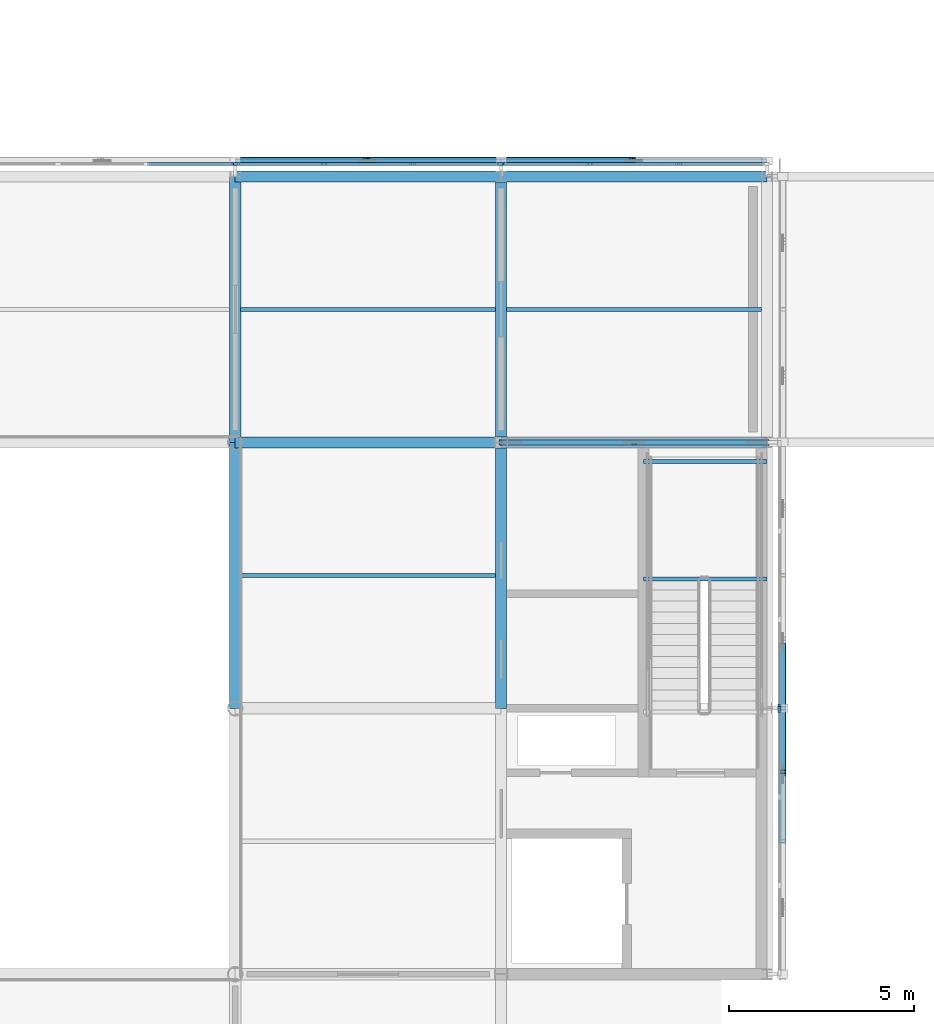
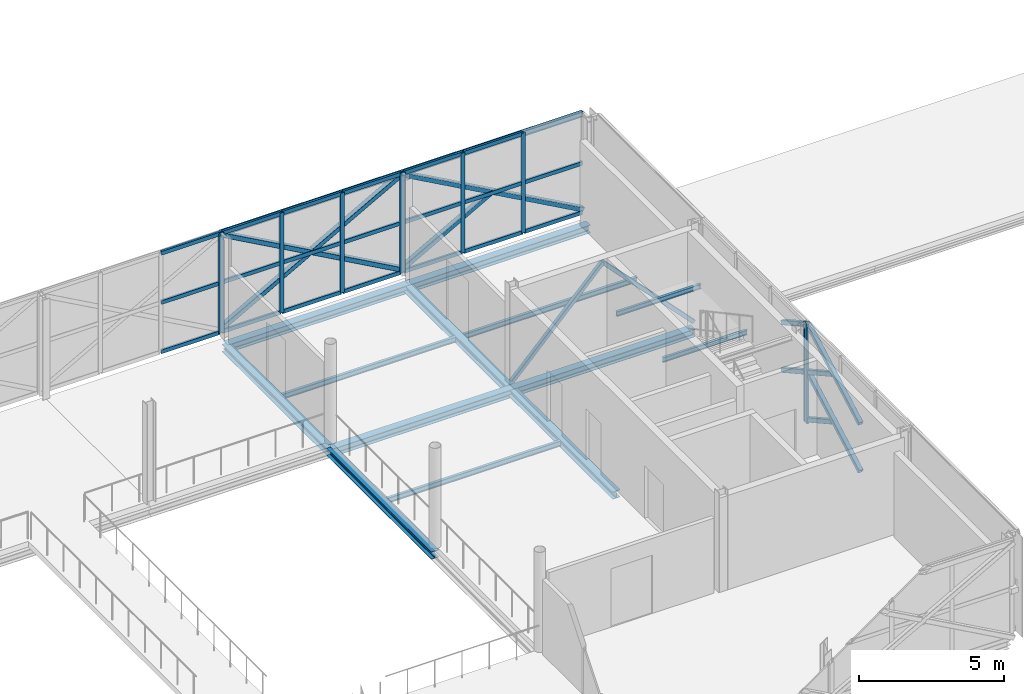
# One storey, part 41 of 103: 45 members, 13 beams, 5 elements without a shape of their own.
"""IFC4 building model written with IfcOpenShell, lengths in metres."""

from ifc_helpers import new_model, si_unit, direction, frame, origin, origin_2d, place, context, subcontext, project, spatial, rectangle, hollow_rectangle, i_section, extrude, material, material_profile, profile_set, type_object, element, aggregate, save


model = new_model("IFC4")

# Units and contexts
model_context = context("Model", 3, precision=1e-05, world=origin(), true_north=direction((0.0, 1.0)))
body_context = subcontext(model_context, "Body", "Model", "MODEL_VIEW")
ifc_project = project(units=[si_unit("LENGTHUNIT", "METRE"), si_unit("AREAUNIT", "SQUARE_METRE"), si_unit("VOLUMEUNIT", "CUBIC_METRE"), si_unit("PLANEANGLEUNIT", "RADIAN"), si_unit("MASSUNIT", "GRAM", prefix="KILO")], contexts=[model_context])

# Site, building, storey
site_placement = place(None, origin())
site = spatial("IfcSite", under=ifc_project, at=site_placement, CompositionType="ELEMENT")
building_placement = place(site_placement, origin())
building = spatial("IfcBuilding", under=site, at=building_placement, Name="Zlatovets Crest Museum", CompositionType="ELEMENT")
storey_placement = place(building_placement, frame((0.0, 0.0, 12.89990234375)))
storey = spatial("IfcBuildingStorey", under=building, at=storey_placement, Name="L03", CompositionType="ELEMENT", Elevation=12.89990234375)

# Beams
ifc_material_1 = material(Name="Structural steel S355J2", Category="steel")
ifc_material_profile_1 = material_profile(ifc_material_1, i_section(OverallWidth=0.300048828125, OverallDepth=0.31005859375, WebThickness=0.009033203125, FlangeThickness=0.015380859375, FilletRadius=0.027099609375, at=origin_2d()), Name="HEA 320")
ifc_profile_set_1 = profile_set([ifc_material_profile_1], Name="Structural steel S355J2")
beam_type_1 = type_object("IfcBeamType", Name="Beam_B-04", PredefinedType="BEAM", material=ifc_profile_set_1)
beam_1_placement = place(storey_placement, frame((93.60009765625, 14.39990234375, -0.39501953125), z_axis=(0.0, 1.0, 0.0), x_axis=(-1.0, 0.0, 0.0)))
element("IfcBeam", 1, at=beam_1_placement, inside=storey, type_object=beam_type_1, Name="V2 L03 Grid Beam B-04", PredefinedType="BEAM", context=body_context, shape_type="SweptSolid", body=[
    extrude(i_section(OverallWidth=0.300048828125, OverallDepth=0.31005859375, WebThickness=0.009033203125, FlangeThickness=0.015380859375, FilletRadius=0.027099609375, at=origin_2d()), origin(), (0.0, 0.0, 1.0), 7.2001953125),
])
beam_2_placement = place(storey_placement, frame((93.60009765625, 21.60009765625, -0.39501953125), z_axis=(0.0, 1.0, 0.0), x_axis=(-1.0, 0.0, 0.0)))
element("IfcBeam", 2, at=beam_2_placement, inside=storey, type_object=beam_type_1, Name="V2 L03 Grid Beam B-04", PredefinedType="BEAM", context=body_context, shape_type="SweptSolid", body=[
    extrude(i_section(OverallWidth=0.300048828125, OverallDepth=0.31005859375, WebThickness=0.009033203125, FlangeThickness=0.015380859375, FilletRadius=0.027099609375, at=origin_2d()), origin(), (0.0, 0.0, 1.0), 7.199951171875),
])
beam_3_placement = place(storey_placement, frame((100.800048828125, 14.39990234375, -0.39501953125), z_axis=(0.0, 1.0, 0.0), x_axis=(-1.0, 0.0, 0.0)))
element("IfcBeam", 3, at=beam_3_placement, inside=storey, type_object=beam_type_1, Name="V2 L03 Grid Beam B-04", PredefinedType="BEAM", context=body_context, shape_type="SweptSolid", body=[
    extrude(i_section(OverallWidth=0.300048828125, OverallDepth=0.31005859375, WebThickness=0.009033203125, FlangeThickness=0.015380859375, FilletRadius=0.027099609375, at=origin_2d()), origin(), (0.0, 0.0, 1.0), 7.2001953125),
])
beam_4_placement = place(storey_placement, frame((100.800048828125, 21.60009765625, -0.39501953125), z_axis=(0.0, 1.0, 0.0), x_axis=(-1.0, 0.0, 0.0)))
element("IfcBeam", 4, at=beam_4_placement, inside=storey, type_object=beam_type_1, Name="V2 L03 Grid Beam B-04", PredefinedType="BEAM", context=body_context, shape_type="SweptSolid", body=[
    extrude(i_section(OverallWidth=0.300048828125, OverallDepth=0.31005859375, WebThickness=0.009033203125, FlangeThickness=0.015380859375, FilletRadius=0.027099609375, at=origin_2d()), origin(), (0.0, 0.0, 1.0), 7.199951171875),
])
ifc_material_profile_2 = material_profile(ifc_material_1, i_section(OverallWidth=0.300048828125, OverallDepth=0.330078125, WebThickness=0.009521484375, FlangeThickness=0.0166015625, FilletRadius=0.027099609375, at=origin_2d()), Name="HEA 340")
ifc_profile_set_2 = profile_set([ifc_material_profile_2], Name="Structural steel S355J2")
beam_type_2 = type_object("IfcBeamType", Name="Beam_B-11", PredefinedType="BEAM", material=ifc_profile_set_2)
for number, where, z_axis, x_axis, name in (
    (5, (93.60009765625, 21.60009765625, -0.40478515625), (1.0, 0.0, 0.0), (0.0, 1.0, 0.0), "V2 L03 Primary Girder B-11"),
    (6, (100.800048828125, 21.60009765625, -0.40478515625), (1.0, 0.0, 0.0), (0.0, 1.0, 0.0), "V2 L03 Primary Girder B-11"),
    (7, (93.60009765625, 28.800048828125, -0.40478515625), (1.0, 0.0, 0.0), (0.0, 1.0, 0.0), "V2 L03 Primary Girder B-11"),
    (8, (100.800048828125, 28.800048828125, -0.40478515625), (1.0, 0.0, 0.0), (0.0, 1.0, 0.0), "V2 L03 Primary Girder B-11"),
):
    element("IfcBeam", number, at=place(storey_placement, frame(where, z_axis=z_axis, x_axis=x_axis)), inside=storey, type_object=beam_type_2, Name=name, PredefinedType="BEAM", context=body_context, shape_type="SweptSolid", body=[
        extrude(i_section(OverallWidth=0.300048828125, OverallDepth=0.330078125, WebThickness=0.009521484375, FlangeThickness=0.0166015625, FilletRadius=0.027099609375, at=origin_2d()), origin(), (0.0, 0.0, 1.0), 7.199951171875),
    ])
ifc_material_profile_3 = material_profile(ifc_material_1, i_section(OverallWidth=0.110107421875, OverallDepth=0.219970703125, WebThickness=0.005859375, FlangeThickness=0.00927734375, FilletRadius=0.011962890625, at=origin_2d()), Name="IPE 220")
ifc_profile_set_3 = profile_set([ifc_material_profile_3], Name="Structural steel S355J2")
beam_type_3 = type_object("IfcBeamType", Name="Beam_J-10", PredefinedType="JOIST", material=ifc_profile_set_3)
for number, where, z_axis, x_axis, name in (
    (9, (93.75, 18.0, -0.349853515625), (1.0, 0.0, 0.0), (0.0, 1.0, 0.0), "V2 L03 Composite Joist J-10"),
    (10, (93.75, 25.199951171875, -0.349853515625), (1.0, 0.0, 0.0), (0.0, 1.0, 0.0), "V2 L03 Composite Joist J-10"),
):
    element("IfcBeam", number, at=place(storey_placement, frame(where, z_axis=z_axis, x_axis=x_axis)), inside=storey, type_object=beam_type_3, Name=name, PredefinedType="JOIST", context=body_context, shape_type="SweptSolid", body=[
        extrude(i_section(OverallWidth=0.110107421875, OverallDepth=0.219970703125, WebThickness=0.005859375, FlangeThickness=0.00927734375, FilletRadius=0.011962890625, at=origin_2d()), origin(), (0.0, 0.0, 1.0), 6.89990234375),
    ])
beam_5_placement = place(storey_placement, frame((100.949951171875, 25.199951171875, -0.349853515625), z_axis=(1.0, 0.0, 0.0), x_axis=(0.0, 1.0, 0.0)))
element("IfcBeam", 11, at=beam_5_placement, inside=storey, type_object=beam_type_3, Name="V2 L03 Composite Joist J-10", PredefinedType="JOIST", context=body_context, shape_type="SweptSolid", body=[
    extrude(i_section(OverallWidth=0.110107421875, OverallDepth=0.219970703125, WebThickness=0.005859375, FlangeThickness=0.00927734375, FilletRadius=0.011962890625, at=origin_2d()), origin(), (0.0, 0.0, 1.0), 6.900146484375),
])
ifc_material_profile_4 = material_profile(ifc_material_1, i_section(OverallWidth=0.10009765625, OverallDepth=0.199951171875, WebThickness=0.005615234375, FlangeThickness=0.008544921875, FilletRadius=0.011962890625, at=origin_2d()), Name="IPE 200")
ifc_profile_set_4 = profile_set([ifc_material_profile_4], Name="Structural steel S355J2")
beam_type_4 = type_object("IfcBeamType", Name="Beam_PR-02", PredefinedType="LINTEL", material=ifc_profile_set_4)
for number, where, z_axis, x_axis, name in (
    (12, (104.64990234375, 17.89990234375, 1.800048828125), (1.0, 0.0, 0.0), (0.0, 1.0, 0.0), "Core C8 L03 Half-Landing Support Beam"),
    (13, (104.64990234375, 21.080078125, 1.800048828125), (1.0, 0.0, 0.0), (0.0, 1.0, 0.0), "Core C8 L03 Half-Landing Support Beam"),
):
    element("IfcBeam", number, at=place(storey_placement, frame(where, z_axis=z_axis, x_axis=x_axis)), inside=storey, type_object=beam_type_4, Name=name, PredefinedType="LINTEL", context=body_context, shape_type="SweptSolid", body=[
        extrude(i_section(OverallWidth=0.10009765625, OverallDepth=0.199951171875, WebThickness=0.005615234375, FlangeThickness=0.008544921875, FilletRadius=0.011962890625, at=origin_2d()), origin(), (0.0, 0.0, 1.0), 3.35009765625),
    ])

# Curtain wall, member
ifc_material_2 = material(Name="Bronze-anodised aluminium and low-E triple glass", Category="aluminium")
curtain_wall_type_1 = type_object("IfcCurtainWallType", Name="CW_CW-V2-L03-M0", PredefinedType="NOTDEFINED", material=ifc_material_2)
curtain_wall_1_placement = place(storey_placement, origin())
curtain_wall_1 = element("IfcCurtainWall", 14, at=curtain_wall_1_placement, inside=storey, type_object=curtain_wall_type_1, Name="V2 L03 Expressed Core Glazed Facade", PredefinedType="NOTDEFINED")
ifc_material_3 = material(Name="Bronze-anodised aluminium EN AW-6060", Category="aluminium")
ifc_material_profile_5 = material_profile(ifc_material_3, rectangle(XDim=0.080078125, YDim=0.159912109375, at=origin_2d()), Name="ALU 80x160")
ifc_profile_set_5 = profile_set([ifc_material_profile_5], Name="Bronze-anodised aluminium EN AW-6060")
member_type_1 = type_object("IfcMemberType", Name="CWMull_M1", PredefinedType="MULLION", material=ifc_profile_set_5)
member_1_placement = place(storey_placement, frame((108.340087890625, 14.3701171875, 0.0), z_axis=(0.0, 0.0, 1.0), x_axis=(-1.0, 0.0, 0.0)))
member_1 = element("IfcMember", 15, at=member_1_placement, type_object=member_type_1, Name="CW-V2-L03-M0 mullion 4", PredefinedType="MULLION", context=body_context, shape_type="SweptSolid", body=[
    extrude(rectangle(XDim=0.080078125, YDim=0.159912109375, at=origin_2d()), origin(), (0.0, 0.0, 1.0), 4.2001953125),
])
aggregate(curtain_wall_1, [member_1])

curtain_wall_type_2 = type_object("IfcCurtainWallType", Name="CW_CW-V2-L03-M1", PredefinedType="NOTDEFINED", material=ifc_material_2)
curtain_wall_2_placement = place(storey_placement, origin())
curtain_wall_2 = element("IfcCurtainWall", 16, at=curtain_wall_2_placement, inside=storey, type_object=curtain_wall_type_2, Name="V2 L03 Expressed Core Glazed Facade", PredefinedType="NOTDEFINED")
member_2_placement = place(storey_placement, frame((108.340087890625, 14.429931640625, 0.0), z_axis=(0.0, 0.0, 1.0), x_axis=(-1.0, 0.0, 0.0)))
member_2 = element("IfcMember", 17, at=member_2_placement, type_object=member_type_1, Name="CW-V2-L03-M1 mullion 1", PredefinedType="MULLION", context=body_context, shape_type="SweptSolid", body=[
    extrude(rectangle(XDim=0.080078125, YDim=0.159912109375, at=origin_2d()), origin(), (0.0, 0.0, 1.0), 4.2001953125),
])
aggregate(curtain_wall_2, [member_2])

# Curtain wall, members
curtain_wall_type_3 = type_object("IfcCurtainWallType", Name="CW_CW-V2-L03-M3", PredefinedType="NOTDEFINED", material=ifc_material_2)
curtain_wall_3_placement = place(storey_placement, origin())
curtain_wall_3 = element("IfcCurtainWall", 18, at=curtain_wall_3_placement, inside=storey, type_object=curtain_wall_type_3, Name="V2 L03 Secession Foyer Clear Curtain Wall", PredefinedType="NOTDEFINED")
member_3_placement = place(storey_placement, frame((105.60009765625, 29.139892578125, 0.0), z_axis=(0.0, 0.0, 1.0), x_axis=(0.0, -1.0, 0.0)))
member_3 = element("IfcMember", 19, at=member_3_placement, type_object=member_type_1, Name="CW-V2-L03-M3 mullion 2", PredefinedType="MULLION", context=body_context, shape_type="SweptSolid", body=[
    extrude(rectangle(XDim=0.080078125, YDim=0.159912109375, at=origin_2d()), origin(), (0.0, 0.0, 1.0), 4.2001953125),
])
member_4_placement = place(storey_placement, frame((103.199951171875, 29.139892578125, 0.0), z_axis=(0.0, 0.0, 1.0), x_axis=(0.0, -1.0, 0.0)))
member_4 = element("IfcMember", 20, at=member_4_placement, type_object=member_type_1, Name="CW-V2-L03-M3 mullion 3", PredefinedType="MULLION", context=body_context, shape_type="SweptSolid", body=[
    extrude(rectangle(XDim=0.080078125, YDim=0.159912109375, at=origin_2d()), origin(), (0.0, 0.0, 1.0), 4.2001953125),
])
member_5_placement = place(storey_placement, frame((100.830078125, 29.139892578125, 0.0), z_axis=(0.0, 0.0, 1.0), x_axis=(0.0, -1.0, 0.0)))
member_5 = element("IfcMember", 21, at=member_5_placement, type_object=member_type_1, Name="CW-V2-L03-M3 mullion 4", PredefinedType="MULLION", context=body_context, shape_type="SweptSolid", body=[
    extrude(rectangle(XDim=0.080078125, YDim=0.159912109375, at=origin_2d()), origin(), (0.0, 0.0, 1.0), 4.2001953125),
])

curtain_wall_4_placement = place(storey_placement, origin())
curtain_wall_4 = element("IfcCurtainWall", 22, at=curtain_wall_4_placement, inside=storey, type_object=curtain_wall_type_1, Name="V2 L03 Secession Foyer Clear Curtain Wall", PredefinedType="NOTDEFINED")
member_6_placement = place(storey_placement, frame((100.77001953125, 29.139892578125, 0.0), z_axis=(0.0, 0.0, 1.0), x_axis=(0.0, -1.0, 0.0)))
member_6 = element("IfcMember", 23, at=member_6_placement, type_object=member_type_1, Name="CW-V2-L03-M0 mullion 1", PredefinedType="MULLION", context=body_context, shape_type="SweptSolid", body=[
    extrude(rectangle(XDim=0.080078125, YDim=0.159912109375, at=origin_2d()), origin(), (0.0, 0.0, 1.0), 4.2001953125),
])
member_7_placement = place(storey_placement, frame((98.39990234375, 29.139892578125, 0.0), z_axis=(0.0, 0.0, 1.0), x_axis=(0.0, -1.0, 0.0)))
member_7 = element("IfcMember", 24, at=member_7_placement, type_object=member_type_1, Name="CW-V2-L03-M0 mullion 2", PredefinedType="MULLION", context=body_context, shape_type="SweptSolid", body=[
    extrude(rectangle(XDim=0.080078125, YDim=0.159912109375, at=origin_2d()), origin(), (0.0, 0.0, 1.0), 4.2001953125),
])
member_8_placement = place(storey_placement, frame((96.0, 29.139892578125, 0.0), z_axis=(0.0, 0.0, 1.0), x_axis=(0.0, -1.0, 0.0)))
member_8 = element("IfcMember", 25, at=member_8_placement, type_object=member_type_1, Name="CW-V2-L03-M0 mullion 3", PredefinedType="MULLION", context=body_context, shape_type="SweptSolid", body=[
    extrude(rectangle(XDim=0.080078125, YDim=0.159912109375, at=origin_2d()), origin(), (0.0, 0.0, 1.0), 4.2001953125),
])
member_9_placement = place(storey_placement, frame((93.6298828125, 29.139892578125, 0.0), z_axis=(0.0, 0.0, 1.0), x_axis=(0.0, -1.0, 0.0)))
member_9 = element("IfcMember", 26, at=member_9_placement, type_object=member_type_1, Name="CW-V2-L03-M0 mullion 4", PredefinedType="MULLION", context=body_context, shape_type="SweptSolid", body=[
    extrude(rectangle(XDim=0.080078125, YDim=0.159912109375, at=origin_2d()), origin(), (0.0, 0.0, 1.0), 4.2001953125),
])

# Curtain wall, member
curtain_wall_5_placement = place(storey_placement, origin())
curtain_wall_5 = element("IfcCurtainWall", 27, at=curtain_wall_5_placement, inside=storey, type_object=curtain_wall_type_2, Name="V2 L03 Secession Foyer Clear Curtain Wall", PredefinedType="NOTDEFINED")
member_10_placement = place(storey_placement, frame((93.570068359375, 29.139892578125, 0.0), z_axis=(0.0, 0.0, 1.0), x_axis=(0.0, -1.0, 0.0)))
member_10 = element("IfcMember", 28, at=member_10_placement, type_object=member_type_1, Name="CW-V2-L03-M1 mullion 1", PredefinedType="MULLION", context=body_context, shape_type="SweptSolid", body=[
    extrude(rectangle(XDim=0.080078125, YDim=0.159912109375, at=origin_2d()), origin(), (0.0, 0.0, 1.0), 4.2001953125),
])

# Member
ifc_material_profile_6 = material_profile(ifc_material_3, rectangle(XDim=0.080078125, YDim=0.159912109375, at=origin_2d()), Name="ALU 80x160")
ifc_profile_set_6 = profile_set([ifc_material_profile_6], Name="Bronze-anodised aluminium EN AW-6060")
member_type_2 = type_object("IfcMemberType", Name="CWTrans_T1", PredefinedType="USERDEFINED", material=ifc_profile_set_6)
member_11_placement = place(storey_placement, frame((107.93994140625, 29.139892578125, 0.030029296875), z_axis=(-1.0, 0.0, 0.0), x_axis=(0.0, -1.0, 0.0)))
member_11 = element("IfcMember", 29, at=member_11_placement, type_object=member_type_2, Name="CW-V2-L03-M3 transom 1.1", ObjectType="TRANSOM", PredefinedType="USERDEFINED", context=body_context, shape_type="SweptSolid", body=[
    extrude(rectangle(XDim=0.080078125, YDim=0.159912109375, at=origin_2d()), origin(), (0.0, 0.0, 1.0), 2.31005859375),
])

member_12_placement = place(storey_placement, frame((107.93994140625, 29.139892578125, 2.10009765625), z_axis=(-1.0, 0.0, 0.0), x_axis=(0.0, -1.0, 0.0)))
member_12 = element("IfcMember", 30, at=member_12_placement, type_object=member_type_2, Name="CW-V2-L03-M3 transom 1.2", ObjectType="TRANSOM", PredefinedType="USERDEFINED", context=body_context, shape_type="SweptSolid", body=[
    extrude(rectangle(XDim=0.080078125, YDim=0.159912109375, at=origin_2d()), origin(), (0.0, 0.0, 1.0), 2.31005859375),
])

member_13_placement = place(storey_placement, frame((105.570068359375, 29.139892578125, 0.030029296875), z_axis=(-1.0, 0.0, 0.0), x_axis=(0.0, -1.0, 0.0)))
member_13 = element("IfcMember", 31, at=member_13_placement, type_object=member_type_2, Name="CW-V2-L03-M3 transom 2.1", ObjectType="TRANSOM", PredefinedType="USERDEFINED", context=body_context, shape_type="SweptSolid", body=[
    extrude(rectangle(XDim=0.080078125, YDim=0.159912109375, at=origin_2d()), origin(), (0.0, 0.0, 1.0), 2.340087890625),
])

member_14_placement = place(storey_placement, frame((105.570068359375, 29.139892578125, 2.10009765625), z_axis=(-1.0, 0.0, 0.0), x_axis=(0.0, -1.0, 0.0)))
member_14 = element("IfcMember", 32, at=member_14_placement, type_object=member_type_2, Name="CW-V2-L03-M3 transom 2.2", ObjectType="TRANSOM", PredefinedType="USERDEFINED", context=body_context, shape_type="SweptSolid", body=[
    extrude(rectangle(XDim=0.080078125, YDim=0.159912109375, at=origin_2d()), origin(), (0.0, 0.0, 1.0), 2.340087890625),
])

member_15_placement = place(storey_placement, frame((105.570068359375, 29.139892578125, 4.170166015625), z_axis=(-1.0, 0.0, 0.0), x_axis=(0.0, -1.0, 0.0)))
member_15 = element("IfcMember", 33, at=member_15_placement, type_object=member_type_2, Name="CW-V2-L03-M3 transom 2.3", ObjectType="TRANSOM", PredefinedType="USERDEFINED", context=body_context, shape_type="SweptSolid", body=[
    extrude(rectangle(XDim=0.080078125, YDim=0.159912109375, at=origin_2d()), origin(), (0.0, 0.0, 1.0), 2.340087890625),
])

member_16_placement = place(storey_placement, frame((103.169921875, 29.139892578125, 0.030029296875), z_axis=(-1.0, 0.0, 0.0), x_axis=(0.0, -1.0, 0.0)))
member_16 = element("IfcMember", 34, at=member_16_placement, type_object=member_type_2, Name="CW-V2-L03-M3 transom 3.1", ObjectType="TRANSOM", PredefinedType="USERDEFINED", context=body_context, shape_type="SweptSolid", body=[
    extrude(rectangle(XDim=0.080078125, YDim=0.159912109375, at=origin_2d()), origin(), (0.0, 0.0, 1.0), 2.309814453125),
])

member_17_placement = place(storey_placement, frame((103.169921875, 29.139892578125, 2.10009765625), z_axis=(-1.0, 0.0, 0.0), x_axis=(0.0, -1.0, 0.0)))
member_17 = element("IfcMember", 35, at=member_17_placement, type_object=member_type_2, Name="CW-V2-L03-M3 transom 3.2", ObjectType="TRANSOM", PredefinedType="USERDEFINED", context=body_context, shape_type="SweptSolid", body=[
    extrude(rectangle(XDim=0.080078125, YDim=0.159912109375, at=origin_2d()), origin(), (0.0, 0.0, 1.0), 2.309814453125),
])

member_18_placement = place(storey_placement, frame((103.169921875, 29.139892578125, 4.170166015625), z_axis=(-1.0, 0.0, 0.0), x_axis=(0.0, -1.0, 0.0)))
member_18 = element("IfcMember", 36, at=member_18_placement, type_object=member_type_2, Name="CW-V2-L03-M3 transom 3.3", ObjectType="TRANSOM", PredefinedType="USERDEFINED", context=body_context, shape_type="SweptSolid", body=[
    extrude(rectangle(XDim=0.080078125, YDim=0.159912109375, at=origin_2d()), origin(), (0.0, 0.0, 1.0), 2.309814453125),
])

aggregate(curtain_wall_3, [member_3, member_4, member_5, member_11, member_12, member_13, member_14, member_15, member_16, member_17, member_18])

member_19_placement = place(storey_placement, frame((100.739990234375, 29.139892578125, 0.030029296875), z_axis=(-1.0, 0.0, 0.0), x_axis=(0.0, -1.0, 0.0)))
member_19 = element("IfcMember", 37, at=member_19_placement, type_object=member_type_2, Name="CW-V2-L03-M0 transom 1.1", ObjectType="TRANSOM", PredefinedType="USERDEFINED", context=body_context, shape_type="SweptSolid", body=[
    extrude(rectangle(XDim=0.080078125, YDim=0.159912109375, at=origin_2d()), origin(), (0.0, 0.0, 1.0), 2.31005859375),
])

member_20_placement = place(storey_placement, frame((100.739990234375, 29.139892578125, 2.10009765625), z_axis=(-1.0, 0.0, 0.0), x_axis=(0.0, -1.0, 0.0)))
member_20 = element("IfcMember", 38, at=member_20_placement, type_object=member_type_2, Name="CW-V2-L03-M0 transom 1.2", ObjectType="TRANSOM", PredefinedType="USERDEFINED", context=body_context, shape_type="SweptSolid", body=[
    extrude(rectangle(XDim=0.080078125, YDim=0.159912109375, at=origin_2d()), origin(), (0.0, 0.0, 1.0), 2.31005859375),
])

member_21_placement = place(storey_placement, frame((100.739990234375, 29.139892578125, 4.170166015625), z_axis=(-1.0, 0.0, 0.0), x_axis=(0.0, -1.0, 0.0)))
member_21 = element("IfcMember", 39, at=member_21_placement, type_object=member_type_2, Name="CW-V2-L03-M0 transom 1.3", ObjectType="TRANSOM", PredefinedType="USERDEFINED", context=body_context, shape_type="SweptSolid", body=[
    extrude(rectangle(XDim=0.080078125, YDim=0.159912109375, at=origin_2d()), origin(), (0.0, 0.0, 1.0), 2.31005859375),
])

member_22_placement = place(storey_placement, frame((98.3701171875, 29.139892578125, 0.030029296875), z_axis=(-1.0, 0.0, 0.0), x_axis=(0.0, -1.0, 0.0)))
member_22 = element("IfcMember", 40, at=member_22_placement, type_object=member_type_2, Name="CW-V2-L03-M0 transom 2.1", ObjectType="TRANSOM", PredefinedType="USERDEFINED", context=body_context, shape_type="SweptSolid", body=[
    extrude(rectangle(XDim=0.080078125, YDim=0.159912109375, at=origin_2d()), origin(), (0.0, 0.0, 1.0), 2.340087890625),
])

member_23_placement = place(storey_placement, frame((98.3701171875, 29.139892578125, 2.10009765625), z_axis=(-1.0, 0.0, 0.0), x_axis=(0.0, -1.0, 0.0)))
member_23 = element("IfcMember", 41, at=member_23_placement, type_object=member_type_2, Name="CW-V2-L03-M0 transom 2.2", ObjectType="TRANSOM", PredefinedType="USERDEFINED", context=body_context, shape_type="SweptSolid", body=[
    extrude(rectangle(XDim=0.080078125, YDim=0.159912109375, at=origin_2d()), origin(), (0.0, 0.0, 1.0), 2.340087890625),
])

member_24_placement = place(storey_placement, frame((98.3701171875, 29.139892578125, 4.170166015625), z_axis=(-1.0, 0.0, 0.0), x_axis=(0.0, -1.0, 0.0)))
member_24 = element("IfcMember", 42, at=member_24_placement, type_object=member_type_2, Name="CW-V2-L03-M0 transom 2.3", ObjectType="TRANSOM", PredefinedType="USERDEFINED", context=body_context, shape_type="SweptSolid", body=[
    extrude(rectangle(XDim=0.080078125, YDim=0.159912109375, at=origin_2d()), origin(), (0.0, 0.0, 1.0), 2.340087890625),
])

member_25_placement = place(storey_placement, frame((95.969970703125, 29.139892578125, 0.030029296875), z_axis=(-1.0, 0.0, 0.0), x_axis=(0.0, -1.0, 0.0)))
member_25 = element("IfcMember", 43, at=member_25_placement, type_object=member_type_2, Name="CW-V2-L03-M0 transom 3.1", ObjectType="TRANSOM", PredefinedType="USERDEFINED", context=body_context, shape_type="SweptSolid", body=[
    extrude(rectangle(XDim=0.080078125, YDim=0.159912109375, at=origin_2d()), origin(), (0.0, 0.0, 1.0), 2.31005859375),
])

member_26_placement = place(storey_placement, frame((95.969970703125, 29.139892578125, 2.10009765625), z_axis=(-1.0, 0.0, 0.0), x_axis=(0.0, -1.0, 0.0)))
member_26 = element("IfcMember", 44, at=member_26_placement, type_object=member_type_2, Name="CW-V2-L03-M0 transom 3.2", ObjectType="TRANSOM", PredefinedType="USERDEFINED", context=body_context, shape_type="SweptSolid", body=[
    extrude(rectangle(XDim=0.080078125, YDim=0.159912109375, at=origin_2d()), origin(), (0.0, 0.0, 1.0), 2.31005859375),
])

member_27_placement = place(storey_placement, frame((95.969970703125, 29.139892578125, 4.170166015625), z_axis=(-1.0, 0.0, 0.0), x_axis=(0.0, -1.0, 0.0)))
member_27 = element("IfcMember", 45, at=member_27_placement, type_object=member_type_2, Name="CW-V2-L03-M0 transom 3.3", ObjectType="TRANSOM", PredefinedType="USERDEFINED", context=body_context, shape_type="SweptSolid", body=[
    extrude(rectangle(XDim=0.080078125, YDim=0.159912109375, at=origin_2d()), origin(), (0.0, 0.0, 1.0), 2.31005859375),
])

aggregate(curtain_wall_4, [member_6, member_7, member_8, member_9, member_19, member_20, member_21, member_22, member_23, member_24, member_25, member_26, member_27])

member_28_placement = place(storey_placement, frame((93.5400390625, 29.139892578125, 0.030029296875), z_axis=(-1.0, 0.0, 0.0), x_axis=(0.0, -1.0, 0.0)))
member_28 = element("IfcMember", 46, at=member_28_placement, type_object=member_type_2, Name="CW-V2-L03-M1 transom 1.1", ObjectType="TRANSOM", PredefinedType="USERDEFINED", context=body_context, shape_type="SweptSolid", body=[
    extrude(rectangle(XDim=0.080078125, YDim=0.159912109375, at=origin_2d()), origin(), (0.0, 0.0, 1.0), 2.31005859375),
])

member_29_placement = place(storey_placement, frame((93.5400390625, 29.139892578125, 2.10009765625), z_axis=(-1.0, 0.0, 0.0), x_axis=(0.0, -1.0, 0.0)))
member_29 = element("IfcMember", 47, at=member_29_placement, type_object=member_type_2, Name="CW-V2-L03-M1 transom 1.2", ObjectType="TRANSOM", PredefinedType="USERDEFINED", context=body_context, shape_type="SweptSolid", body=[
    extrude(rectangle(XDim=0.080078125, YDim=0.159912109375, at=origin_2d()), origin(), (0.0, 0.0, 1.0), 2.31005859375),
])

member_30_placement = place(storey_placement, frame((93.5400390625, 29.139892578125, 4.170166015625), z_axis=(-1.0, 0.0, 0.0), x_axis=(0.0, -1.0, 0.0)))
member_30 = element("IfcMember", 48, at=member_30_placement, type_object=member_type_2, Name="CW-V2-L03-M1 transom 1.3", ObjectType="TRANSOM", PredefinedType="USERDEFINED", context=body_context, shape_type="SweptSolid", body=[
    extrude(rectangle(XDim=0.080078125, YDim=0.159912109375, at=origin_2d()), origin(), (0.0, 0.0, 1.0), 2.31005859375),
])

aggregate(curtain_wall_5, [member_10, member_28, member_29, member_30])

# Members
ifc_material_4 = material(Name="Weathering bronze-steel S355J2W", Category="steel")
ifc_material_profile_7 = material_profile(ifc_material_4, hollow_rectangle(XDim=0.179931640625, YDim=0.179931640625, WallThickness=0.010009765625, InnerFilletRadius=0.010009765625, OuterFilletRadius=0.02001953125, at=origin_2d()), Name="SHS 180x180x10.0")
ifc_profile_set_7 = profile_set([ifc_material_profile_7], Name="Weathering bronze-steel S355J2W")
member_type_3 = type_object("IfcMemberType", Name="Lattice_XL-01", PredefinedType="BRACE", material=ifc_profile_set_7)
member_31_placement = place(storey_placement, frame((108.419921875, 10.800048828125, 0.10009765625), z_axis=(0.0, 0.874148886685, 0.485658031857), x_axis=(-1.0, 0.0, 0.0)))
element("IfcMember", 49, at=member_31_placement, inside=storey, type_object=member_type_3, Name="Continuous Bronze Lattice Diagonal", PredefinedType="BRACE", context=body_context, shape_type="SweptSolid", body=[
    extrude(hollow_rectangle(XDim=0.179931640625, YDim=0.179931640625, WallThickness=0.010009765625, InnerFilletRadius=0.010009765625, OuterFilletRadius=0.02001953125, at=origin_2d()), origin(), (0.0, 0.0, 1.0), 4.1181640625),
])
member_32_placement = place(storey_placement, frame((108.419921875, 12.68310546875, 1.053955078125), z_axis=(0.0, 0.874139684676, -0.48567459443), x_axis=(-1.0, 0.0, 0.0)))
element("IfcMember", 50, at=member_32_placement, inside=storey, type_object=member_type_3, Name="Split Crossing Bronze Lattice Diagonal Lower", PredefinedType="BRACE", context=body_context, shape_type="SweptSolid", body=[
    extrude(hollow_rectangle(XDim=0.179931640625, YDim=0.179931640625, WallThickness=0.010009765625, InnerFilletRadius=0.010009765625, OuterFilletRadius=0.02001953125, at=origin_2d()), origin(), (0.0, 0.0, 1.0), 1.9638671875),
])
member_33_placement = place(storey_placement, frame((108.419921875, 10.800048828125, 2.10009765625), z_axis=(0.0, 0.874148886685, 0.485658031857), x_axis=(-1.0, 0.0, 0.0)))
element("IfcMember", 51, at=member_33_placement, inside=storey, type_object=member_type_3, Name="Continuous Bronze Lattice Diagonal", PredefinedType="BRACE", context=body_context, shape_type="SweptSolid", body=[
    extrude(hollow_rectangle(XDim=0.179931640625, YDim=0.179931640625, WallThickness=0.010009765625, InnerFilletRadius=0.010009765625, OuterFilletRadius=0.02001953125, at=origin_2d()), origin(), (0.0, 0.0, 1.0), 4.1181640625),
])
member_34_placement = place(storey_placement, frame((108.419921875, 12.68310546875, 3.053955078125), z_axis=(0.0, 0.874139684676, -0.48567459443), x_axis=(-1.0, 0.0, 0.0)))
element("IfcMember", 52, at=member_34_placement, inside=storey, type_object=member_type_3, Name="Split Crossing Bronze Lattice Diagonal Lower", PredefinedType="BRACE", context=body_context, shape_type="SweptSolid", body=[
    extrude(hollow_rectangle(XDim=0.179931640625, YDim=0.179931640625, WallThickness=0.010009765625, InnerFilletRadius=0.010009765625, OuterFilletRadius=0.02001953125, at=origin_2d()), origin(), (0.0, 0.0, 1.0), 1.9638671875),
])
for number, where, z_axis, x_axis, name in (
    (53, (108.419921875, 14.39990234375, 2.10009765625), (0.0, 0.874169001841, -0.485621824284), (-1.0, 0.0, 0.0), "Split Crossing Bronze Lattice Diagonal Upper"),
    (54, (108.419921875, 14.39990234375, 4.10009765625), (0.0, 0.874169001841, -0.485621824284), (-1.0, 0.0, 0.0), "Split Crossing Bronze Lattice Diagonal Upper"),
):
    element("IfcMember", number, at=place(storey_placement, frame(where, z_axis=z_axis, x_axis=x_axis)), inside=storey, type_object=member_type_3, Name=name, PredefinedType="BRACE", context=body_context, shape_type="SweptSolid", body=[
        extrude(hollow_rectangle(XDim=0.179931640625, YDim=0.179931640625, WallThickness=0.010009765625, InnerFilletRadius=0.010009765625, OuterFilletRadius=0.02001953125, at=origin_2d()), origin(), (0.0, 0.0, 1.0), 1.964111328125),
    ])
ifc_material_profile_8 = material_profile(ifc_material_4, hollow_rectangle(XDim=0.199951171875, YDim=0.199951171875, WallThickness=0.012451171875, InnerFilletRadius=0.012451171875, OuterFilletRadius=0.02490234375, at=origin_2d()), Name="SHS 200x200x12.5")
ifc_profile_set_8 = profile_set([ifc_material_profile_8], Name="Weathering bronze-steel S355J2W")
member_type_4 = type_object("IfcMemberType", Name="Lattice_XL-02", PredefinedType="BRACE", material=ifc_profile_set_8)
member_35_placement = place(storey_placement, frame((108.0, 29.219970703125, 0.10009765625), z_axis=(-0.874155877937, 0.0, 0.485645447903), x_axis=(0.0, -1.0, 0.0)))
element("IfcMember", 55, at=member_35_placement, inside=storey, type_object=member_type_4, Name="Continuous Bronze Lattice Diagonal", PredefinedType="BRACE", context=body_context, shape_type="SweptSolid", body=[
    extrude(hollow_rectangle(XDim=0.199951171875, YDim=0.199951171875, WallThickness=0.012451171875, InnerFilletRadius=0.012451171875, OuterFilletRadius=0.02490234375, at=origin_2d()), origin(), (0.0, 0.0, 1.0), 8.236572265625),
])
member_36_placement = place(storey_placement, frame((104.31689453125, 29.219970703125, 2.053955078125), z_axis=(-0.874151551165, 0.0, -0.485653235958), x_axis=(0.0, -1.0, 0.0)))
element("IfcMember", 56, at=member_36_placement, inside=storey, type_object=member_type_4, Name="Split Crossing Bronze Lattice Diagonal Lower", PredefinedType="BRACE", context=body_context, shape_type="SweptSolid", body=[
    extrude(hollow_rectangle(XDim=0.199951171875, YDim=0.199951171875, WallThickness=0.012451171875, InnerFilletRadius=0.012451171875, OuterFilletRadius=0.02490234375, at=origin_2d()), origin(), (0.0, 0.0, 1.0), 4.023193359375),
])
member_37_placement = place(storey_placement, frame((100.800048828125, 29.219970703125, 0.10009765625), z_axis=(-0.874155877937, 0.0, 0.485645447903), x_axis=(0.0, -1.0, 0.0)))
element("IfcMember", 57, at=member_37_placement, inside=storey, type_object=member_type_4, Name="Continuous Bronze Lattice Diagonal", PredefinedType="BRACE", context=body_context, shape_type="SweptSolid", body=[
    extrude(hollow_rectangle(XDim=0.199951171875, YDim=0.199951171875, WallThickness=0.012451171875, InnerFilletRadius=0.012451171875, OuterFilletRadius=0.02490234375, at=origin_2d()), origin(), (0.0, 0.0, 1.0), 8.236572265625),
])
member_38_placement = place(storey_placement, frame((100.800048828125, 29.219970703125, 4.10009765625), z_axis=(-0.874165862873, 0.0, -0.485627474703), x_axis=(0.0, -1.0, 0.0)))
element("IfcMember", 58, at=member_38_placement, inside=storey, type_object=member_type_4, Name="Split Crossing Bronze Lattice Diagonal Upper", PredefinedType="BRACE", context=body_context, shape_type="SweptSolid", body=[
    extrude(hollow_rectangle(XDim=0.199951171875, YDim=0.199951171875, WallThickness=0.012451171875, InnerFilletRadius=0.012451171875, OuterFilletRadius=0.02490234375, at=origin_2d()), origin(), (0.0, 0.0, 1.0), 4.0234375),
])
member_39_placement = place(storey_placement, frame((97.116943359375, 29.219970703125, 2.053955078125), z_axis=(-0.874151551165, 0.0, -0.485653235958), x_axis=(0.0, -1.0, 0.0)))
element("IfcMember", 59, at=member_39_placement, inside=storey, type_object=member_type_4, Name="Split Crossing Bronze Lattice Diagonal Lower", PredefinedType="BRACE", context=body_context, shape_type="SweptSolid", body=[
    extrude(hollow_rectangle(XDim=0.199951171875, YDim=0.199951171875, WallThickness=0.012451171875, InnerFilletRadius=0.012451171875, OuterFilletRadius=0.02490234375, at=origin_2d()), origin(), (0.0, 0.0, 1.0), 4.023193359375),
])
ifc_material_profile_9 = material_profile(ifc_material_4, hollow_rectangle(XDim=0.1201171875, YDim=0.239990234375, WallThickness=0.010009765625, InnerFilletRadius=0.010009765625, OuterFilletRadius=0.02001953125, at=origin_2d()), Name="RHS 120x240x10.0")
ifc_profile_set_9 = profile_set([ifc_material_profile_9], Name="Weathering bronze-steel S355J2W")
member_type_5 = type_object("IfcMemberType", Name="Lattice_XL-04", PredefinedType="CHORD", material=ifc_profile_set_9)
for number, where, z_axis, x_axis, name in (
    (60, (108.0, 29.219970703125, 4.10009765625), (-1.0, 0.0, 0.0), (0.0, -1.0, 0.0), "Art Nouveau Woven Cage Collector Ring Chord"),
    (61, (100.800048828125, 29.219970703125, 4.10009765625), (-1.0, 0.0, 0.0), (0.0, -1.0, 0.0), "Art Nouveau Woven Cage Collector Ring Chord"),
):
    element("IfcMember", number, at=place(storey_placement, frame(where, z_axis=z_axis, x_axis=x_axis)), inside=storey, type_object=member_type_5, Name=name, PredefinedType="CHORD", context=body_context, shape_type="SweptSolid", body=[
        extrude(hollow_rectangle(XDim=0.1201171875, YDim=0.239990234375, WallThickness=0.010009765625, InnerFilletRadius=0.010009765625, OuterFilletRadius=0.02001953125, at=origin_2d()), origin(), (0.0, 0.0, 1.0), 7.199951171875),
    ])
ifc_material_profile_10 = material_profile(ifc_material_1, hollow_rectangle(XDim=0.159912109375, YDim=0.159912109375, WallThickness=0.010009765625, InnerFilletRadius=0.010009765625, OuterFilletRadius=0.02001953125, at=origin_2d()), Name="SHS 160x160x10.0")
ifc_profile_set_10 = profile_set([ifc_material_profile_10], Name="Structural steel S355J2")
member_type_6 = type_object("IfcMemberType", Name="Member_BR-03", PredefinedType="BRACE", material=ifc_profile_set_10)
member_40_placement = place(storey_placement, frame((100.800048828125, 21.60009765625, 0.0), z_axis=(0.692517163318, 0.0, 0.721401399021), x_axis=(0.0, 1.0, 0.0)))
element("IfcMember", 62, at=member_40_placement, inside=storey, type_object=member_type_6, Name="V2 L03 Concentric Seismic Brace", PredefinedType="BRACE", context=body_context, shape_type="SweptSolid", body=[
    extrude(hollow_rectangle(XDim=0.159912109375, YDim=0.159912109375, WallThickness=0.010009765625, InnerFilletRadius=0.010009765625, OuterFilletRadius=0.02001953125, at=origin_2d()), origin(), (0.0, 0.0, 1.0), 5.1982421875),
])
member_41_placement = place(storey_placement, frame((108.0, 21.60009765625, 0.0), z_axis=(-0.692541604294, 0.0, 0.721377935844), x_axis=(0.0, -1.0, 0.0)))
element("IfcMember", 63, at=member_41_placement, inside=storey, type_object=member_type_6, Name="V2 L03 Concentric Seismic Brace", PredefinedType="BRACE", context=body_context, shape_type="SweptSolid", body=[
    extrude(hollow_rectangle(XDim=0.159912109375, YDim=0.159912109375, WallThickness=0.010009765625, InnerFilletRadius=0.010009765625, OuterFilletRadius=0.02001953125, at=origin_2d()), origin(), (0.0, 0.0, 1.0), 5.198486328125),
])

save(model, "model.ifc")
